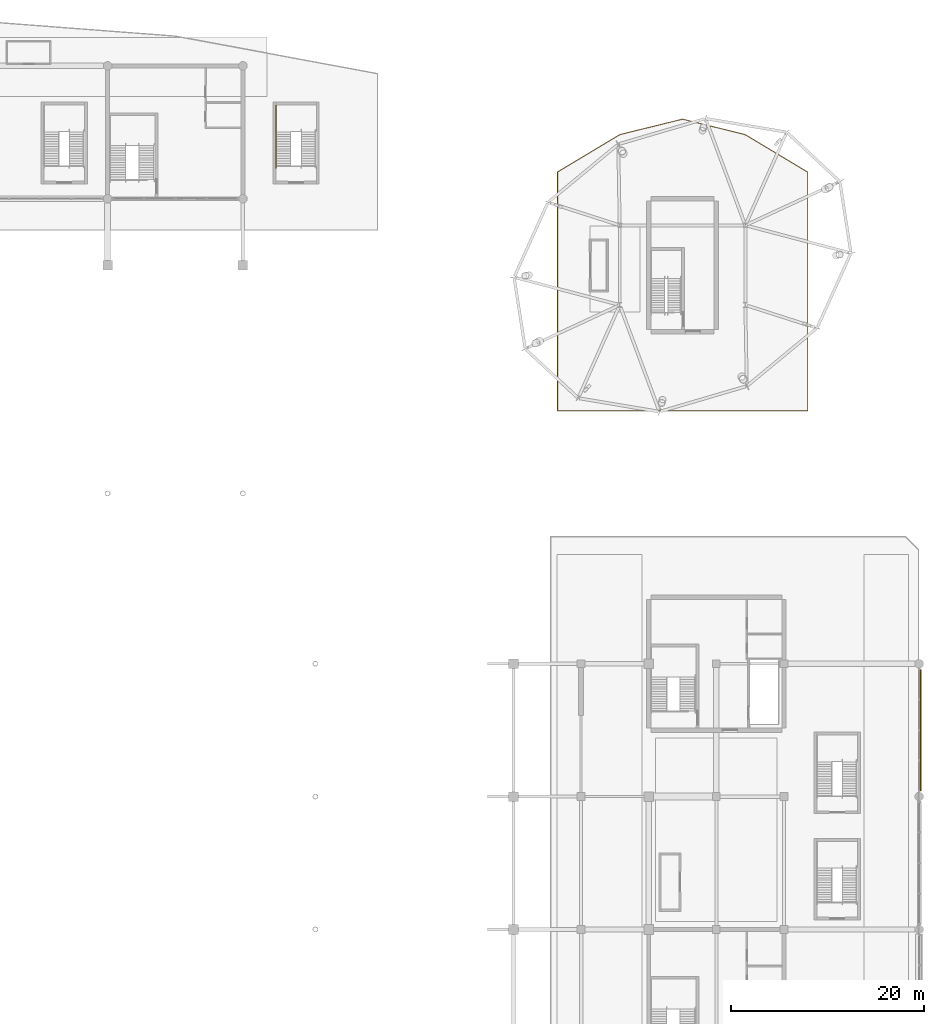
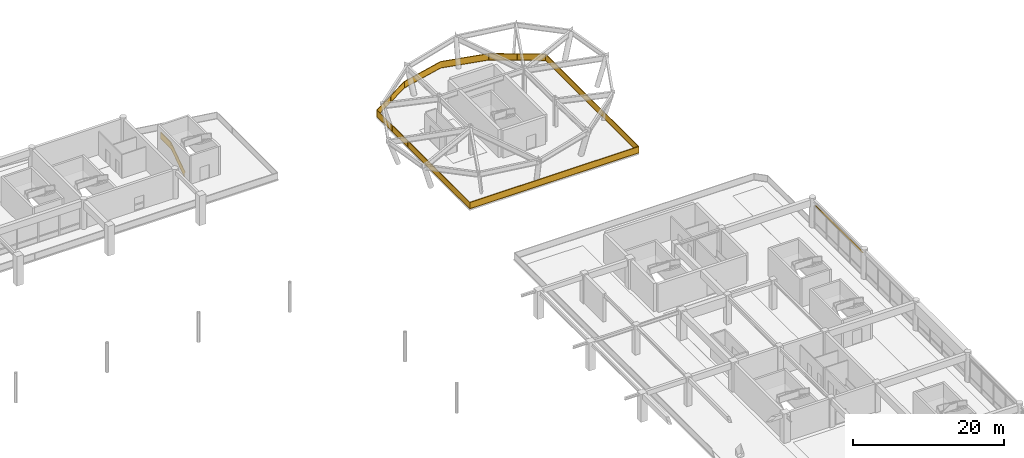
# One storey, part 91 of 91: 2 railings, 1 shading device.
"""IFC4 building model written with IfcOpenShell, lengths in metres."""

from ifc_helpers import new_model, si_unit, direction, frame, origin, origin_2d, place, context, subcontext, project, spatial, rectangle, extrude, material, layer, layer_set, type_object, element, save


model = new_model("IFC4")

# Units and contexts
model_context = context("Model", 3, precision=1e-05, world=origin(), true_north=direction((0.0, 1.0)))
body_context = subcontext(model_context, "Body", "Model", "MODEL_VIEW")
ifc_project = project(units=[si_unit("LENGTHUNIT", "METRE"), si_unit("AREAUNIT", "SQUARE_METRE"), si_unit("VOLUMEUNIT", "CUBIC_METRE"), si_unit("PLANEANGLEUNIT", "RADIAN"), si_unit("MASSUNIT", "GRAM", prefix="KILO")], contexts=[model_context])

# Site, building, storey
site_placement = place(None, origin())
site = spatial("IfcSite", under=ifc_project, at=site_placement, CompositionType="ELEMENT")
building_placement = place(site_placement, origin())
building = spatial("IfcBuilding", under=site, at=building_placement, Name="Linyun Crest Stadium", CompositionType="ELEMENT")
storey_placement = place(building_placement, frame((0.0, 0.0, 11.39990234375)))
storey = spatial("IfcBuildingStorey", under=building, at=storey_placement, Name="L03", CompositionType="ELEMENT", Elevation=11.39990234375)

# Railings
ifc_material_1 = material(Name="Galvanized and powder-coated steel bowl safety barrier", Category="steel")
railing_type_1 = type_object("IfcRailingType", Name="GR02", PredefinedType="GUARDRAIL", material=ifc_material_1)
railing_1_placement = place(storey_placement, frame((60.56005859375, 69.56005859375, 0.0)))
element("IfcRailing", 1, at=railing_1_placement, inside=storey, type_object=railing_type_1, Name="Slab edge balustrade GR02 335", PredefinedType="GUARDRAIL", context=body_context, shape_type="SweptSolid", body=[
    extrude(rectangle(XDim=0.06005859375, YDim=0.06005859375, at=origin_2d()), frame((0.0, 0.0, 1.090087890625), z_axis=(0.0, 1.0, 0.0), x_axis=(-1.0, 0.0, 0.0)), (0.0, 0.0, 1.0), 24.7060546875),
    extrude(rectangle(XDim=0.030029296875, YDim=1.0, at=origin_2d()), frame((0.0, 0.0, 0.56005859375), z_axis=(0.0, 1.0, 0.0), x_axis=(-1.0, 0.0, 0.0)), (0.0, 0.0, 1.0), 24.7060546875),
    extrude(rectangle(XDim=0.06005859375, YDim=0.06005859375, at=origin_2d()), frame((0.0, 0.0, 0.030029296875), z_axis=(0.0, 1.0, 0.0), x_axis=(-1.0, 0.0, 0.0)), (0.0, 0.0, 1.0), 24.7060546875),
    extrude(rectangle(XDim=0.06005859375, YDim=0.06005859375, at=origin_2d()), frame((0.0, 24.7060546875, 1.090087890625), z_axis=(0.857481493024, 0.514514809429, 0.0), x_axis=(-0.514514809429, 0.857481493024, 0.0)), (0.0, 0.0, 1.0), 7.537109375),
    extrude(rectangle(XDim=0.030029296875, YDim=1.0, at=origin_2d()), frame((0.0, 24.7060546875, 0.56005859375), z_axis=(0.857481493024, 0.514514809429, 0.0), x_axis=(-0.514514809429, 0.857481493024, 0.0)), (0.0, 0.0, 1.0), 7.537109375),
    extrude(rectangle(XDim=0.06005859375, YDim=0.06005859375, at=origin_2d()), frame((0.0, 24.7060546875, 0.030029296875), z_axis=(0.857481493024, 0.514514809429, 0.0), x_axis=(-0.514514809429, 0.857481493024, 0.0)), (0.0, 0.0, 1.0), 7.537109375),
    extrude(rectangle(XDim=0.06005859375, YDim=0.06005859375, at=origin_2d()), frame((6.462890625, 28.583984375, 1.090087890625), z_axis=(0.971027293085, 0.238968608992, 0.0), x_axis=(-0.238968608992, 0.971027293085, 0.0)), (0.0, 0.0, 1.0), 6.67041015625),
    extrude(rectangle(XDim=0.030029296875, YDim=1.0, at=origin_2d()), frame((6.462890625, 28.583984375, 0.56005859375), z_axis=(0.971027293085, 0.238968608992, 0.0), x_axis=(-0.238968608992, 0.971027293085, 0.0)), (0.0, 0.0, 1.0), 6.67041015625),
    extrude(rectangle(XDim=0.06005859375, YDim=0.06005859375, at=origin_2d()), frame((6.462890625, 28.583984375, 0.030029296875), z_axis=(0.971027293085, 0.238968608992, 0.0), x_axis=(-0.238968608992, 0.971027293085, 0.0)), (0.0, 0.0, 1.0), 6.67041015625),
    extrude(rectangle(XDim=0.06005859375, YDim=0.06005859375, at=origin_2d()), frame((12.93994140625, 30.177978515625, 1.090087890625), z_axis=(0.971027293085, -0.238968608992, 0.0), x_axis=(0.238968608992, 0.971027293085, 0.0)), (0.0, 0.0, 1.0), 6.67041015625),
    extrude(rectangle(XDim=0.030029296875, YDim=1.0, at=origin_2d()), frame((12.93994140625, 30.177978515625, 0.56005859375), z_axis=(0.971027293085, -0.238968608992, 0.0), x_axis=(0.238968608992, 0.971027293085, 0.0)), (0.0, 0.0, 1.0), 6.67041015625),
    extrude(rectangle(XDim=0.06005859375, YDim=0.06005859375, at=origin_2d()), frame((12.93994140625, 30.177978515625, 0.030029296875), z_axis=(0.971027293085, -0.238968608992, 0.0), x_axis=(0.238968608992, 0.971027293085, 0.0)), (0.0, 0.0, 1.0), 6.67041015625),
    extrude(rectangle(XDim=0.06005859375, YDim=0.06005859375, at=origin_2d()), frame((19.4169921875, 28.583984375, 1.090087890625), z_axis=(0.857481493024, -0.514514809429, 0.0), x_axis=(0.514514809429, 0.857481493024, 0.0)), (0.0, 0.0, 1.0), 7.537109375),
    extrude(rectangle(XDim=0.030029296875, YDim=1.0, at=origin_2d()), frame((19.4169921875, 28.583984375, 0.56005859375), z_axis=(0.857481493024, -0.514514809429, 0.0), x_axis=(0.514514809429, 0.857481493024, 0.0)), (0.0, 0.0, 1.0), 7.537109375),
    extrude(rectangle(XDim=0.06005859375, YDim=0.06005859375, at=origin_2d()), frame((19.4169921875, 28.583984375, 0.030029296875), z_axis=(0.857481493024, -0.514514809429, 0.0), x_axis=(0.514514809429, 0.857481493024, 0.0)), (0.0, 0.0, 1.0), 7.537109375),
    extrude(rectangle(XDim=0.06005859375, YDim=0.06005859375, at=origin_2d()), frame((25.8798828125, 24.7060546875, 1.090087890625), z_axis=(0.0, -1.0, 0.0), x_axis=(1.0, 0.0, 0.0)), (0.0, 0.0, 1.0), 24.7060546875),
    extrude(rectangle(XDim=0.030029296875, YDim=1.0, at=origin_2d()), frame((25.8798828125, 24.7060546875, 0.56005859375), z_axis=(0.0, -1.0, 0.0), x_axis=(1.0, 0.0, 0.0)), (0.0, 0.0, 1.0), 24.7060546875),
    extrude(rectangle(XDim=0.06005859375, YDim=0.06005859375, at=origin_2d()), frame((25.8798828125, 24.7060546875, 0.030029296875), z_axis=(0.0, -1.0, 0.0), x_axis=(1.0, 0.0, 0.0)), (0.0, 0.0, 1.0), 24.7060546875),
    extrude(rectangle(XDim=0.06005859375, YDim=0.06005859375, at=origin_2d()), frame((25.8798828125, 0.0, 1.090087890625), z_axis=(-1.0, 0.0, 0.0), x_axis=(0.0, -1.0, 0.0)), (0.0, 0.0, 1.0), 25.8798828125),
    extrude(rectangle(XDim=0.030029296875, YDim=1.0, at=origin_2d()), frame((25.8798828125, 0.0, 0.56005859375), z_axis=(-1.0, 0.0, 0.0), x_axis=(0.0, -1.0, 0.0)), (0.0, 0.0, 1.0), 25.8798828125),
    extrude(rectangle(XDim=0.06005859375, YDim=0.06005859375, at=origin_2d()), frame((25.8798828125, 0.0, 0.030029296875), z_axis=(-1.0, 0.0, 0.0), x_axis=(0.0, -1.0, 0.0)), (0.0, 0.0, 1.0), 25.8798828125),
    extrude(rectangle(XDim=0.050048828125, YDim=0.050048828125, at=origin_2d()), origin(), (0.0, 0.0, 1.0), 1.1201171875),
    extrude(rectangle(XDim=0.050048828125, YDim=0.050048828125, at=origin_2d()), frame((0.0, 4.11767578125, 0.0)), (0.0, 0.0, 1.0), 1.1201171875),
    extrude(rectangle(XDim=0.050048828125, YDim=0.050048828125, at=origin_2d()), frame((0.0, 8.2353515625, 0.0)), (0.0, 0.0, 1.0), 1.1201171875),
    extrude(rectangle(XDim=0.050048828125, YDim=0.050048828125, at=origin_2d()), frame((0.0, 12.35302734375, 0.0)), (0.0, 0.0, 1.0), 1.1201171875),
    extrude(rectangle(XDim=0.050048828125, YDim=0.050048828125, at=origin_2d()), frame((0.0, 16.470703125, 0.0)), (0.0, 0.0, 1.0), 1.1201171875),
    extrude(rectangle(XDim=0.050048828125, YDim=0.050048828125, at=origin_2d()), frame((0.0, 20.58837890625, 0.0)), (0.0, 0.0, 1.0), 1.1201171875),
    extrude(rectangle(XDim=0.050048828125, YDim=0.050048828125, at=origin_2d()), frame((0.0, 24.7060546875, 0.0)), (0.0, 0.0, 1.0), 1.1201171875),
    extrude(rectangle(XDim=0.050048828125, YDim=0.050048828125, at=origin_2d()), frame((3.2314453125, 26.64501953125, 0.0)), (0.0, 0.0, 1.0), 1.1201171875),
    extrude(rectangle(XDim=0.050048828125, YDim=0.050048828125, at=origin_2d()), frame((6.462890625, 28.583984375, 0.0)), (0.0, 0.0, 1.0), 1.1201171875),
    extrude(rectangle(XDim=0.050048828125, YDim=0.050048828125, at=origin_2d()), frame((9.701416015625, 29.380859375, 0.0)), (0.0, 0.0, 1.0), 1.1201171875),
    extrude(rectangle(XDim=0.050048828125, YDim=0.050048828125, at=origin_2d()), frame((12.93994140625, 30.177978515625, 0.0)), (0.0, 0.0, 1.0), 1.1201171875),
    extrude(rectangle(XDim=0.050048828125, YDim=0.050048828125, at=origin_2d()), frame((16.178466796875, 29.380859375, 0.0)), (0.0, 0.0, 1.0), 1.1201171875),
    extrude(rectangle(XDim=0.050048828125, YDim=0.050048828125, at=origin_2d()), frame((19.4169921875, 28.583984375, 0.0)), (0.0, 0.0, 1.0), 1.1201171875),
    extrude(rectangle(XDim=0.050048828125, YDim=0.050048828125, at=origin_2d()), frame((22.6484375, 26.64501953125, 0.0)), (0.0, 0.0, 1.0), 1.1201171875),
    extrude(rectangle(XDim=0.050048828125, YDim=0.050048828125, at=origin_2d()), frame((25.8798828125, 24.7060546875, 0.0)), (0.0, 0.0, 1.0), 1.1201171875),
    extrude(rectangle(XDim=0.050048828125, YDim=0.050048828125, at=origin_2d()), frame((25.8798828125, 20.58837890625, 0.0)), (0.0, 0.0, 1.0), 1.1201171875),
    extrude(rectangle(XDim=0.050048828125, YDim=0.050048828125, at=origin_2d()), frame((25.8798828125, 16.470703125, 0.0)), (0.0, 0.0, 1.0), 1.1201171875),
    extrude(rectangle(XDim=0.050048828125, YDim=0.050048828125, at=origin_2d()), frame((25.8798828125, 12.35302734375, 0.0)), (0.0, 0.0, 1.0), 1.1201171875),
    extrude(rectangle(XDim=0.050048828125, YDim=0.050048828125, at=origin_2d()), frame((25.8798828125, 8.2353515625, 0.0)), (0.0, 0.0, 1.0), 1.1201171875),
    extrude(rectangle(XDim=0.050048828125, YDim=0.050048828125, at=origin_2d()), frame((25.8798828125, 4.11767578125, 0.0)), (0.0, 0.0, 1.0), 1.1201171875),
    extrude(rectangle(XDim=0.050048828125, YDim=0.050048828125, at=origin_2d()), frame((25.8798828125, 0.0, 0.0)), (0.0, 0.0, 1.0), 1.1201171875),
    extrude(rectangle(XDim=0.050048828125, YDim=0.050048828125, at=origin_2d()), frame((21.566650390625, 0.0, 0.0)), (0.0, 0.0, 1.0), 1.1201171875),
    extrude(rectangle(XDim=0.050048828125, YDim=0.050048828125, at=origin_2d()), frame((17.253173828125, 0.0, 0.0)), (0.0, 0.0, 1.0), 1.1201171875),
    extrude(rectangle(XDim=0.050048828125, YDim=0.050048828125, at=origin_2d()), frame((12.93994140625, 0.0, 0.0)), (0.0, 0.0, 1.0), 1.1201171875),
    extrude(rectangle(XDim=0.050048828125, YDim=0.050048828125, at=origin_2d()), frame((8.626708984375, 0.0, 0.0)), (0.0, 0.0, 1.0), 1.1201171875),
    extrude(rectangle(XDim=0.050048828125, YDim=0.050048828125, at=origin_2d()), frame((4.313232421875, 0.0, 0.0)), (0.0, 0.0, 1.0), 1.1201171875),
])
ifc_material_2 = material(Name="Painted steel stairwell safety guard", Category="steel")
railing_type_2 = type_object("IfcRailingType", Name="GR03", PredefinedType="GUARDRAIL", material=ifc_material_2)
railing_2_placement = place(storey_placement, frame((31.429931640625, 94.919921875, 0.0)))
element("IfcRailing", 2, at=railing_2_placement, inside=storey, type_object=railing_type_2, Name="STR-26-L03 outer guard", PredefinedType="GUARDRAIL", context=body_context, shape_type="SweptSolid", body=[
    extrude(rectangle(XDim=0.06005859375, YDim=0.06005859375, at=origin_2d()), frame((0.0, 0.0, 1.090087890625), z_axis=(0.0, 0.824712752785, 0.565551832633), x_axis=(-1.0, 0.0, 0.0)), (0.0, 0.0, 1.0), 4.243896484375),
    extrude(rectangle(XDim=0.030029296875, YDim=1.0, at=origin_2d()), frame((0.0, 0.0, 0.56005859375), z_axis=(0.0, 0.824712752785, 0.565551832633), x_axis=(-1.0, 0.0, 0.0)), (0.0, 0.0, 1.0), 4.243896484375),
    extrude(rectangle(XDim=0.06005859375, YDim=0.06005859375, at=origin_2d()), frame((0.0, 0.0, 0.030029296875), z_axis=(0.0, 0.824712752785, 0.565551832633), x_axis=(-1.0, 0.0, 0.0)), (0.0, 0.0, 1.0), 4.243896484375),
    extrude(rectangle(XDim=0.06005859375, YDim=0.06005859375, at=origin_2d()), frame((0.0, 3.5, 3.490234375), z_axis=(0.0, 1.0, 0.0), x_axis=(-1.0, 0.0, 0.0)), (0.0, 0.0, 1.0), 2.75),
    extrude(rectangle(XDim=0.030029296875, YDim=1.0, at=origin_2d()), frame((0.0, 3.5, 2.960205078125), z_axis=(0.0, 1.0, 0.0), x_axis=(-1.0, 0.0, 0.0)), (0.0, 0.0, 1.0), 2.75),
    extrude(rectangle(XDim=0.06005859375, YDim=0.06005859375, at=origin_2d()), frame((0.0, 3.5, 2.43017578125), z_axis=(0.0, 1.0, 0.0), x_axis=(-1.0, 0.0, 0.0)), (0.0, 0.0, 1.0), 2.75),
    extrude(rectangle(XDim=0.050048828125, YDim=0.050048828125, at=origin_2d()), origin(), (0.0, 0.0, 1.0), 1.1201171875),
    extrude(rectangle(XDim=0.050048828125, YDim=0.050048828125, at=origin_2d()), frame((0.0, 1.166748046875, 0.800048828125)), (0.0, 0.0, 1.0), 1.1201171875),
    extrude(rectangle(XDim=0.050048828125, YDim=0.050048828125, at=origin_2d()), frame((0.0, 2.333251953125, 1.60009765625)), (0.0, 0.0, 1.0), 1.1201171875),
    extrude(rectangle(XDim=0.050048828125, YDim=0.050048828125, at=origin_2d()), frame((0.0, 3.5, 2.400146484375)), (0.0, 0.0, 1.0), 1.1201171875),
    extrude(rectangle(XDim=0.050048828125, YDim=0.050048828125, at=origin_2d()), frame((0.0, 4.875, 2.400146484375)), (0.0, 0.0, 1.0), 1.1201171875),
    extrude(rectangle(XDim=0.050048828125, YDim=0.050048828125, at=origin_2d()), frame((0.0, 6.25, 2.400146484375)), (0.0, 0.0, 1.0), 1.1201171875),
])

# Shading device
ifc_material_3 = material(Name="Glazed ceramic faience brise-soleil screen")
ifc_layer = layer(ifc_material_3, 0.10009765625)
ifc_layer_set = layer_set([ifc_layer], Name="Glazed ceramic faience brise-soleil screen")
shading_device_type = type_object("IfcShadingDeviceType", Name="SD02", PredefinedType="SHUTTER", material=ifc_layer_set)
shading_device_placement = place(storey_placement, frame((98.1201171875, 36.5, 3.56005859375), z_axis=(0.0, 0.0, 1.0), x_axis=(1.0, 0.0, 0.0)))
element("IfcShadingDevice", 3, at=shading_device_placement, inside=storey, type_object=shading_device_type, Name="Veranda monsoon louvre SD02 260", PredefinedType="SHUTTER", context=body_context, shape_type="SweptSolid", body=[
    extrude(rectangle(XDim=0.159912109375, YDim=12.550048828125, at=origin_2d()), origin(), (0.0, 0.0, 1.0), 0.1201171875),
])

save(model, "model.ifc")
